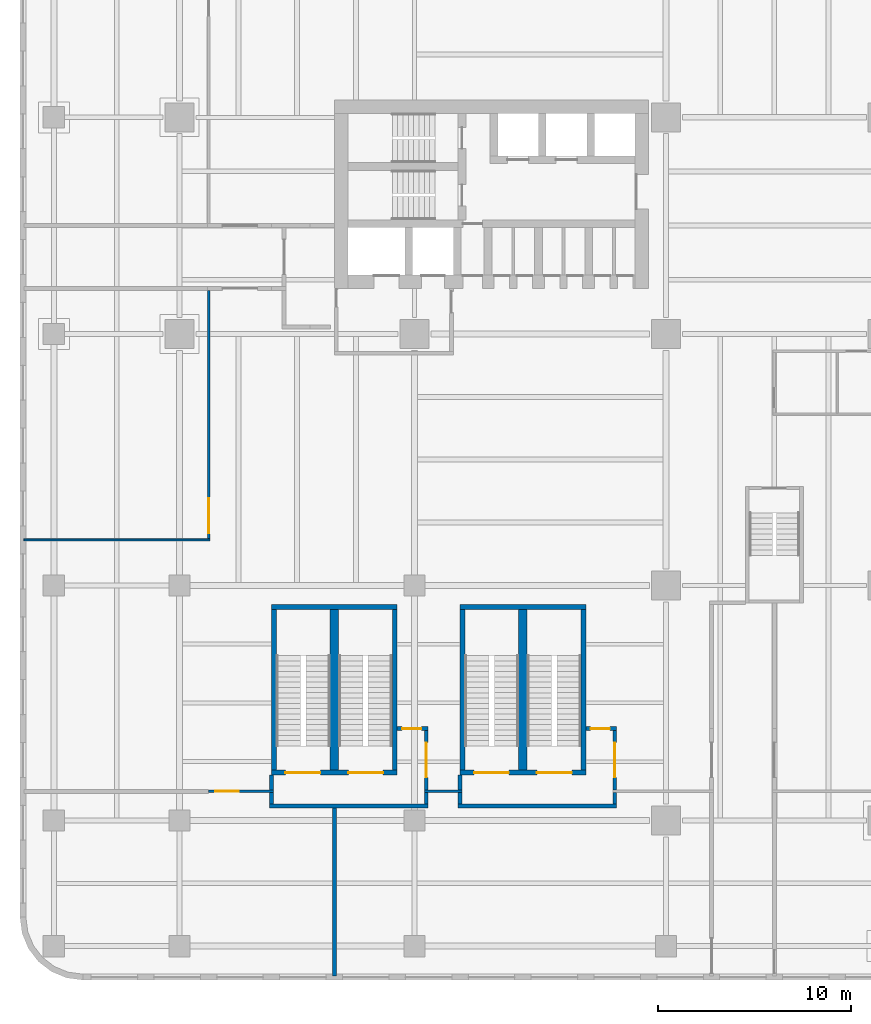
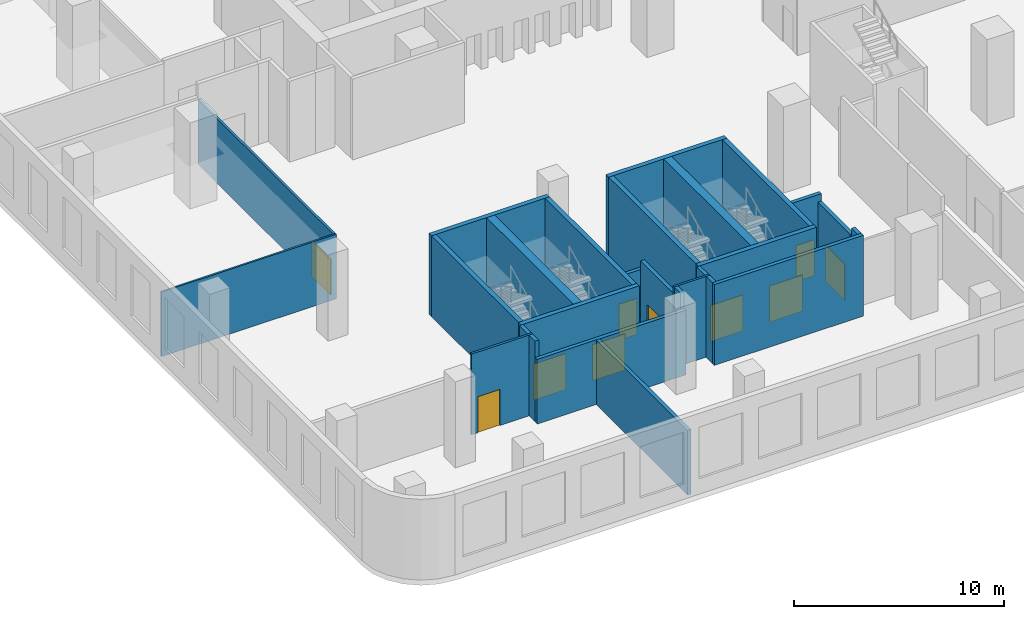
# One storey, part 5 of 17: 27 walls, 10 doors, 10 openings.
"""IFC4 building model written with IfcOpenShell, lengths in metres."""

from ifc_helpers import new_model, si_unit, direction, frame, frame_2d, origin, place, context, subcontext, project, spatial, rectangle, extrude, source, transform, mapped, material, layer, layer_set, type_object, element, fill, save


model = new_model("IFC4")

# Units and contexts
model_context = context("Model", 3, precision=1e-05, world=origin(), true_north=direction((0.0, 1.0)))
body_context = subcontext(model_context, "Body", "Model", "MODEL_VIEW")
ifc_project = project(units=[si_unit("LENGTHUNIT", "METRE"), si_unit("AREAUNIT", "SQUARE_METRE"), si_unit("VOLUMEUNIT", "CUBIC_METRE"), si_unit("PLANEANGLEUNIT", "RADIAN"), si_unit("MASSUNIT", "GRAM", prefix="KILO")], contexts=[model_context])

# Site, building, storey
site_placement = place(None, origin())
site = spatial("IfcSite", under=ifc_project, at=site_placement, CompositionType="ELEMENT")
building_placement = place(site_placement, origin())
building = spatial("IfcBuilding", under=site, at=building_placement, Name="Trellis Farm Tower", CompositionType="ELEMENT")
storey_placement = place(building_placement, frame((0.0, 0.0, 19.0)))
storey = spatial("IfcBuildingStorey", under=building, at=storey_placement, Name="L03", CompositionType="ELEMENT", Elevation=19.0)

# Wall, opening, door
ifc_material_1 = material(Name="Plasterboard on steel studs, mineral wool", Category="steel")
ifc_layer_1 = layer(ifc_material_1, 0.125)
ifc_layer_set_1 = layer_set([ifc_layer_1], Name="PARTITION 125 STUD EI 60")
wall_type_1 = type_object("IfcWallType", Name="PARTITION 125 STUD EI 60", PredefinedType="PARTITIONING", material=ifc_layer_set_1)
wall_1_placement = place(storey_placement, frame((-29.25, -16.199951171875, 0.0), z_axis=(0.0, 0.0, 1.0), x_axis=(0.0, 1.0, 0.0)))
wall_1 = element("IfcWall", 1, at=wall_1_placement, inside=storey, type_object=wall_type_1, Name="Partition PW1", PredefinedType="PARTITIONING", context=body_context, shape_type="SweptSolid", body=[
    extrude(rectangle(XDim=12.849853515625, YDim=0.125, at=frame_2d((6.4248046875, 0.0))), origin(), (0.0, 0.0, 1.0), 3.76171875),
])
shared_shape_1 = source(origin(), body_context, "Body", "SweptSolid", [
    extrude(rectangle(XDim=1.800048828125, YDim=2.10009765625, at=frame_2d((0.89990234375, 1.050048828125))), frame((0.0, 0.072509765625, 0.0), z_axis=(0.0, -1.0, 0.0), x_axis=(1.0, 0.0, 0.0)), (0.0, 0.0, 1.0), 0.14501953125),
])
opening_1_placement = place(wall_1_placement, frame((0.300048828125, 0.0, 0.0)))
opening_1 = element("IfcOpeningElement", 2, at=opening_1_placement, cuts=wall_1, Name="Opening D203", PredefinedType="OPENING", context=body_context, shape_type="MappedRepresentation", body=[
    mapped(shared_shape_1, transform((0.0, 0.0, 0.0))),
])
ifc_material_2 = material(Name="Fire-rated timber door leaf in a hollow metal frame", Category="wood")
door_type_1 = type_object("IfcDoorType", Name="DOOR PAIR 1800x2100 FD30S", OperationType="NOTDEFINED", PredefinedType="DOOR", material=ifc_material_2)
shared_shape_2 = source(origin(), body_context, "Body", "SweptSolid", [
    extrude(rectangle(XDim=1.800048828125, YDim=2.10009765625, at=frame_2d((0.89990234375, 1.050048828125))), frame((0.0, 0.02490234375, 0.0), z_axis=(0.0, -1.0, 0.0), x_axis=(1.0, 0.0, 0.0)), (0.0, 0.0, 1.0), 0.050048828125),
])
door_1_placement = place(opening_1_placement, origin())
door_1 = element("IfcDoor", 3, at=door_1_placement, inside=storey, type_object=door_type_1, Name="Door D203", OperationType="DOUBLE_DOOR_SINGLE_SWING", OverallHeight=2.10009765625, OverallWidth=1.800048828125, PredefinedType="DOOR", context=body_context, shape_type="MappedRepresentation", body=[
    mapped(shared_shape_2, transform((0.0, 0.0, 0.0))),
])
fill(opening_1, door_1)

wall_2_placement = place(storey_placement, frame((-25.89990234375, -29.25, 0.0), z_axis=(0.0, 0.0, 1.0), x_axis=(-1.0, 0.0, 0.0)))
wall_2 = element("IfcWall", 4, at=wall_2_placement, inside=storey, type_object=wall_type_1, Name="Partition PW1", PredefinedType="PARTITIONING", context=body_context, shape_type="SweptSolid", body=[
    extrude(rectangle(XDim=3.35009765625, YDim=0.125, at=frame_2d((1.675048828125, 0.0))), origin(), (0.0, 0.0, 1.0), 4.699951171875),
])
shared_shape_3 = source(origin(), body_context, "Body", "SweptSolid", [
    extrude(rectangle(XDim=1.199951171875, YDim=2.10009765625, at=frame_2d((0.60009765625, 1.050048828125))), frame((0.0, 0.072509765625, 0.0), z_axis=(0.0, -1.0, 0.0), x_axis=(1.0, 0.0, 0.0)), (0.0, 0.0, 1.0), 0.14501953125),
])
opening_2_placement = place(wall_2_placement, frame((1.800048828125, 0.0, 0.0)))
opening_2 = element("IfcOpeningElement", 5, at=opening_2_placement, cuts=wall_2, Name="Opening D602", PredefinedType="OPENING", context=body_context, shape_type="MappedRepresentation", body=[
    mapped(shared_shape_3, transform((0.0, 0.0, 0.0))),
])
door_type_2 = type_object("IfcDoorType", Name="DOOR 1200x2100 FD30S", OperationType="NOTDEFINED", PredefinedType="DOOR", material=ifc_material_2)
shared_shape_4 = source(origin(), body_context, "Body", "SweptSolid", [
    extrude(rectangle(XDim=1.199951171875, YDim=2.10009765625, at=frame_2d((0.60009765625, 1.050048828125))), frame((0.0, 0.02490234375, 0.0), z_axis=(0.0, -1.0, 0.0), x_axis=(1.0, 0.0, 0.0)), (0.0, 0.0, 1.0), 0.050048828125),
])
door_2_placement = place(opening_2_placement, origin())
door_2 = element("IfcDoor", 6, at=door_2_placement, inside=storey, type_object=door_type_2, Name="Door D602", OperationType="SINGLE_SWING_RIGHT", OverallHeight=2.10009765625, OverallWidth=1.199951171875, PredefinedType="DOOR", context=body_context, shape_type="MappedRepresentation", body=[
    mapped(shared_shape_4, transform((0.0, 0.0, 0.0))),
])
fill(opening_2, door_2)

# Wall, openings, doors
ifc_material_3 = material(Name="Concrete C80/95", Category="concrete")
ifc_layer_2 = layer(ifc_material_3, 0.25)
ifc_layer_set_2 = layer_set([ifc_layer_2], Name="CORE STAIR ENCLOSURE WALL 250 CONCRETE C80/95")
wall_type_2 = type_object("IfcWallType", Name="CORE STAIR ENCLOSURE WALL 250 CONCRETE C80/95", PredefinedType="SHEAR", material=ifc_layer_set_2)
shared_shape_5 = source(origin(), body_context, "Body", "SweptSolid", [
    extrude(rectangle(XDim=6.5, YDim=0.25, at=frame_2d((3.25, 0.0))), origin(), (0.0, 0.0, 1.0), 4.699951171875),
])
wall_3_placement = place(storey_placement, frame((-26.0, -28.27490234375, 0.0), z_axis=(0.0, 0.0, 1.0), x_axis=(1.0, 0.0, 0.0)))
wall_3 = element("IfcWall", 7, at=wall_3_placement, inside=storey, type_object=wall_type_2, Name="Podium stair enclosure wall", PredefinedType="SHEAR", context=body_context, shape_type="MappedRepresentation", body=[
    mapped(shared_shape_5, transform((0.0, 0.0, 0.0))),
])
shared_shape_6 = source(origin(), body_context, "Body", "SweptSolid", [
    extrude(rectangle(XDim=1.800048828125, YDim=2.10009765625, at=frame_2d((0.89990234375, 1.050048828125))), frame((0.0, 0.135009765625, 0.0), z_axis=(0.0, -1.0, 0.0), x_axis=(1.0, 0.0, 0.0)), (0.0, 0.0, 1.0), 0.27001953125),
])
opening_3_placement = place(wall_3_placement, frame((0.72509765625, 0.0, 0.0)))
opening_3 = element("IfcOpeningElement", 8, at=opening_3_placement, cuts=wall_3, Name="Opening DP9", PredefinedType="OPENING", context=body_context, shape_type="MappedRepresentation", body=[
    mapped(shared_shape_6, transform((0.0, 0.0, 0.0))),
])
opening_4_placement = place(wall_3_placement, frame((3.97509765625, 0.0, 0.0)))
opening_4 = element("IfcOpeningElement", 9, at=opening_4_placement, cuts=wall_3, Name="Opening DP10", PredefinedType="OPENING", context=body_context, shape_type="MappedRepresentation", body=[
    mapped(shared_shape_6, transform((0.0, 0.0, 0.0))),
])
ifc_material_4 = material(Name="Steel", Category="steel")
door_type_3 = type_object("IfcDoorType", Name="CORE FIRE DOOR DOUBLE 1800 X 2100", OperationType="DOUBLE_DOOR_SINGLE_SWING", PredefinedType="DOOR", material=ifc_material_4)
door_3_placement = place(opening_3_placement, origin())
door_3 = element("IfcDoor", 10, at=door_3_placement, inside=storey, type_object=door_type_3, Name="Podium stair door", OperationType="DOUBLE_DOOR_SINGLE_SWING", OverallHeight=2.10009765625, OverallWidth=1.800048828125, PredefinedType="DOOR", context=body_context, shape_type="MappedRepresentation", body=[
    mapped(shared_shape_2, transform((0.0, 0.0, 0.0))),
])
fill(opening_3, door_3)
door_4_placement = place(opening_4_placement, origin())
door_4 = element("IfcDoor", 11, at=door_4_placement, inside=storey, type_object=door_type_3, Name="Podium stair door", OperationType="DOUBLE_DOOR_SINGLE_SWING", OverallHeight=2.10009765625, OverallWidth=1.800048828125, PredefinedType="DOOR", context=body_context, shape_type="MappedRepresentation", body=[
    mapped(shared_shape_2, transform((0.0, 0.0, 0.0))),
])
fill(opening_4, door_4)

# Wall
wall_4_placement = place(storey_placement, frame((-26.0, -19.72509765625, 0.0), z_axis=(0.0, 0.0, 1.0), x_axis=(1.0, 0.0, 0.0)))
element("IfcWall", 12, at=wall_4_placement, inside=storey, type_object=wall_type_2, Name="Podium stair enclosure wall", PredefinedType="SHEAR", context=body_context, shape_type="MappedRepresentation", body=[
    mapped(shared_shape_5, transform((0.0, 0.0, 0.0))),
])

# Wall, openings, doors
wall_5_placement = place(storey_placement, frame((-16.25, -28.27490234375, 0.0), z_axis=(0.0, 0.0, 1.0), x_axis=(1.0, 0.0, 0.0)))
wall_5 = element("IfcWall", 13, at=wall_5_placement, inside=storey, type_object=wall_type_2, Name="Podium stair enclosure wall", PredefinedType="SHEAR", context=body_context, shape_type="MappedRepresentation", body=[
    mapped(shared_shape_5, transform((0.0, 0.0, 0.0))),
])
opening_5_placement = place(wall_5_placement, frame((0.72509765625, 0.0, 0.0)))
opening_5 = element("IfcOpeningElement", 14, at=opening_5_placement, cuts=wall_5, Name="Opening DP11", PredefinedType="OPENING", context=body_context, shape_type="MappedRepresentation", body=[
    mapped(shared_shape_6, transform((0.0, 0.0, 0.0))),
])
opening_6_placement = place(wall_5_placement, frame((3.97509765625, 0.0, 0.0)))
opening_6 = element("IfcOpeningElement", 15, at=opening_6_placement, cuts=wall_5, Name="Opening DP12", PredefinedType="OPENING", context=body_context, shape_type="MappedRepresentation", body=[
    mapped(shared_shape_6, transform((0.0, 0.0, 0.0))),
])
door_5_placement = place(opening_5_placement, origin())
door_5 = element("IfcDoor", 16, at=door_5_placement, inside=storey, type_object=door_type_3, Name="Podium stair door", OperationType="DOUBLE_DOOR_SINGLE_SWING", OverallHeight=2.10009765625, OverallWidth=1.800048828125, PredefinedType="DOOR", context=body_context, shape_type="MappedRepresentation", body=[
    mapped(shared_shape_2, transform((0.0, 0.0, 0.0))),
])
fill(opening_5, door_5)
door_6_placement = place(opening_6_placement, origin())
door_6 = element("IfcDoor", 17, at=door_6_placement, inside=storey, type_object=door_type_3, Name="Podium stair door", OperationType="DOUBLE_DOOR_SINGLE_SWING", OverallHeight=2.10009765625, OverallWidth=1.800048828125, PredefinedType="DOOR", context=body_context, shape_type="MappedRepresentation", body=[
    mapped(shared_shape_2, transform((0.0, 0.0, 0.0))),
])
fill(opening_6, door_6)

# Walls
wall_6_placement = place(storey_placement, frame((-16.25, -19.72509765625, 0.0), z_axis=(0.0, 0.0, 1.0), x_axis=(1.0, 0.0, 0.0)))
element("IfcWall", 18, at=wall_6_placement, inside=storey, type_object=wall_type_2, Name="Podium stair enclosure wall", PredefinedType="SHEAR", context=body_context, shape_type="MappedRepresentation", body=[
    mapped(shared_shape_5, transform((0.0, 0.0, 0.0))),
])
shared_shape_7 = source(origin(), body_context, "Body", "SweptSolid", [
    extrude(rectangle(XDim=8.2998046875, YDim=0.25, at=frame_2d((4.14990234375, 0.0))), origin(), (0.0, 0.0, 1.0), 4.699951171875),
])
for number, where, z_axis, x_axis, name in (
    (19, (-25.875, -28.14990234375, 0.0), (0.0, 0.0, 1.0), (0.0, 1.0, 0.0), "Podium stair enclosure wall"),
    (20, (-19.625, -28.14990234375, 0.0), (0.0, 0.0, 1.0), (0.0, 1.0, 0.0), "Podium stair enclosure wall"),
    (21, (-16.125, -28.14990234375, 0.0), (0.0, 0.0, 1.0), (0.0, 1.0, 0.0), "Podium stair enclosure wall"),
    (22, (-9.875, -28.14990234375, 0.0), (0.0, 0.0, 1.0), (0.0, 1.0, 0.0), "Podium stair enclosure wall"),
):
    element("IfcWall", number, at=place(storey_placement, frame(where, z_axis=z_axis, x_axis=x_axis)), inside=storey, type_object=wall_type_2, Name=name, PredefinedType="SHEAR", context=body_context, shape_type="MappedRepresentation", body=[
        mapped(shared_shape_7, transform((0.0, 0.0, 0.0))),
    ])
ifc_layer_3 = layer(ifc_material_3, 0.43994140625)
ifc_layer_set_3 = layer_set([ifc_layer_3], Name="CORE STAIR ENCLOSURE WALL 440 CONCRETE C80/95")
wall_type_3 = type_object("IfcWallType", Name="CORE STAIR ENCLOSURE WALL 440 CONCRETE C80/95", PredefinedType="SHEAR", material=ifc_layer_set_3)
shared_shape_8 = source(origin(), body_context, "Body", "SweptSolid", [
    extrude(rectangle(XDim=8.2998046875, YDim=0.43994140625, at=frame_2d((4.14990234375, 0.0))), origin(), (0.0, 0.0, 1.0), 4.699951171875),
])
for number, where, z_axis, x_axis, name in (
    (23, (-22.75, -28.14990234375, 0.0), (0.0, 0.0, 1.0), (0.0, 1.0, 0.0), "Podium stair enclosure wall"),
    (24, (-13.0, -28.14990234375, 0.0), (0.0, 0.0, 1.0), (0.0, 1.0, 0.0), "Podium stair enclosure wall"),
):
    element("IfcWall", number, at=place(storey_placement, frame(where, z_axis=z_axis, x_axis=x_axis)), inside=storey, type_object=wall_type_3, Name=name, PredefinedType="SHEAR", context=body_context, shape_type="MappedRepresentation", body=[
        mapped(shared_shape_8, transform((0.0, 0.0, 0.0))),
    ])
ifc_material_5 = material(Name="Lightweight blockwork, plastered", Category="masonry")
ifc_layer_4 = layer(ifc_material_5, 0.199951171875)
ifc_layer_set_4 = layer_set([ifc_layer_4], Name="BLOCK WALL 200 EI 120")
wall_type_4 = type_object("IfcWallType", Name="BLOCK WALL 200 EI 120", PredefinedType="PARTITIONING", material=ifc_layer_set_4)
shared_shape_9 = source(origin(), body_context, "Body", "SweptSolid", [
    extrude(rectangle(XDim=0.78759765625, YDim=0.199951171875, at=frame_2d((0.393798828125, 0.0))), origin(), (0.0, 0.0, 1.0), 4.699951171875),
])
for number, where, z_axis, x_axis, name in (
    (25, (-26.0, -29.1875, 0.0), (0.0, 0.0, 1.0), (0.0, 1.0, 0.0), "Partition PW3"),
    (26, (-16.25, -29.1875, 0.0), (0.0, 0.0, 1.0), (0.0, 1.0, 0.0), "Partition PW3"),
):
    element("IfcWall", number, at=place(storey_placement, frame(where, z_axis=z_axis, x_axis=x_axis)), inside=storey, type_object=wall_type_4, Name=name, PredefinedType="PARTITIONING", context=body_context, shape_type="MappedRepresentation", body=[
        mapped(shared_shape_9, transform((0.0, 0.0, 0.0))),
    ])
shared_shape_10 = source(origin(), body_context, "Body", "SweptSolid", [
    extrude(rectangle(XDim=0.58740234375, YDim=0.199951171875, at=frame_2d((0.293701171875, 0.0))), origin(), (0.0, 0.0, 1.0), 4.699951171875),
])
for number, where, z_axis, x_axis, name in (
    (27, (-26.0, -29.89990234375, 0.0), (0.0, 0.0, 1.0), (0.0, 1.0, 0.0), "Partition PW3"),
    (28, (-18.0, -29.3125, 0.0), (0.0, 0.0, 1.0), (0.0, -1.0, 0.0), "Partition PW3"),
    (29, (-16.25, -29.3125, 0.0), (0.0, 0.0, 1.0), (0.0, -1.0, 0.0), "Partition PW3"),
    (30, (-8.25, -29.89990234375, 0.0), (0.0, 0.0, 1.0), (0.0, 1.0, 0.0), "Partition PW3"),
):
    element("IfcWall", number, at=place(storey_placement, frame(where, z_axis=z_axis, x_axis=x_axis)), inside=storey, type_object=wall_type_4, Name=name, PredefinedType="PARTITIONING", context=body_context, shape_type="MappedRepresentation", body=[
        mapped(shared_shape_10, transform((0.0, 0.0, 0.0))),
    ])

# Wall, opening, door
shared_shape_11 = source(origin(), body_context, "Body", "SweptSolid", [
    extrude(rectangle(XDim=3.08740234375, YDim=0.199951171875, at=frame_2d((1.543701171875, 0.0))), origin(), (0.0, 0.0, 1.0), 4.273681640625),
])
wall_7_placement = place(storey_placement, frame((-18.0, -26.10009765625, 0.0), z_axis=(0.0, 0.0, 1.0), x_axis=(0.0, -1.0, 0.0)))
wall_7 = element("IfcWall", 31, at=wall_7_placement, inside=storey, type_object=wall_type_4, Name="Partition PW3", PredefinedType="PARTITIONING", context=body_context, shape_type="MappedRepresentation", body=[
    mapped(shared_shape_11, transform((0.0, 0.0, 0.0))),
])
shared_shape_12 = source(origin(), body_context, "Body", "SweptSolid", [
    extrude(rectangle(XDim=1.800048828125, YDim=2.10009765625, at=frame_2d((0.89990234375, 1.050048828125))), frame((0.0, 0.110107421875, 0.0), z_axis=(0.0, -1.0, 0.0), x_axis=(1.0, 0.0, 0.0)), (0.0, 0.0, 1.0), 0.22021484375),
])
opening_7_placement = place(wall_7_placement, frame((0.625, 0.0, 0.0)))
opening_7 = element("IfcOpeningElement", 32, at=opening_7_placement, cuts=wall_7, Name="Opening D401", PredefinedType="OPENING", context=body_context, shape_type="MappedRepresentation", body=[
    mapped(shared_shape_12, transform((0.0, 0.0, 0.0))),
])
door_type_4 = type_object("IfcDoorType", Name="DOOR PAIR 1800x2100 FD60", OperationType="NOTDEFINED", PredefinedType="DOOR", material=ifc_material_2)
door_7_placement = place(opening_7_placement, origin())
door_7 = element("IfcDoor", 33, at=door_7_placement, inside=storey, type_object=door_type_4, Name="Door D401", OperationType="DOUBLE_DOOR_SINGLE_SWING", OverallHeight=2.10009765625, OverallWidth=1.800048828125, PredefinedType="DOOR", context=body_context, shape_type="MappedRepresentation", body=[
    mapped(shared_shape_2, transform((0.0, 0.0, 0.0))),
])
fill(opening_7, door_7)

wall_8_placement = place(storey_placement, frame((-8.25, -26.10009765625, 0.0), z_axis=(0.0, 0.0, 1.0), x_axis=(0.0, -1.0, 0.0)))
wall_8 = element("IfcWall", 34, at=wall_8_placement, inside=storey, type_object=wall_type_4, Name="Partition PW3", PredefinedType="PARTITIONING", context=body_context, shape_type="MappedRepresentation", body=[
    mapped(shared_shape_11, transform((0.0, 0.0, 0.0))),
])
opening_8_placement = place(wall_8_placement, frame((0.625, 0.0, 0.0)))
opening_8 = element("IfcOpeningElement", 35, at=opening_8_placement, cuts=wall_8, Name="Opening D402", PredefinedType="OPENING", context=body_context, shape_type="MappedRepresentation", body=[
    mapped(shared_shape_12, transform((0.0, 0.0, 0.0))),
])
door_8_placement = place(opening_8_placement, origin())
door_8 = element("IfcDoor", 36, at=door_8_placement, inside=storey, type_object=door_type_4, Name="Door D402", OperationType="DOUBLE_DOOR_SINGLE_SWING", OverallHeight=2.10009765625, OverallWidth=1.800048828125, PredefinedType="DOOR", context=body_context, shape_type="MappedRepresentation", body=[
    mapped(shared_shape_2, transform((0.0, 0.0, 0.0))),
])
fill(opening_8, door_8)

# Walls
shared_shape_13 = source(origin(), body_context, "Body", "SweptSolid", [
    extrude(rectangle(XDim=8.699951171875, YDim=0.199951171875, at=frame_2d((4.35009765625, 0.0))), origin(), (0.0, 0.0, 1.0), 3.76171875),
])
wall_9_placement = place(storey_placement, frame((-22.75, -38.800048828125, 0.0), z_axis=(0.0, 0.0, 1.0), x_axis=(0.0, 1.0, 0.0)))
element("IfcWall", 37, at=wall_9_placement, inside=storey, type_object=wall_type_4, Name="Partition PW3", PredefinedType="PARTITIONING", context=body_context, shape_type="MappedRepresentation", body=[
    mapped(shared_shape_13, transform((0.0, 0.0, 0.0))),
])
shared_shape_14 = source(origin(), body_context, "Body", "SweptSolid", [
    extrude(rectangle(XDim=8.2001953125, YDim=0.199951171875, at=frame_2d((4.10009765625, 0.0))), origin(), (0.0, 0.0, 1.0), 4.699951171875),
])
wall_10_placement = place(storey_placement, frame((-8.14990234375, -30.0, 0.0), z_axis=(0.0, 0.0, 1.0), x_axis=(-1.0, 0.0, 0.0)))
element("IfcWall", 38, at=wall_10_placement, inside=storey, type_object=wall_type_4, Name="Partition PW3", PredefinedType="PARTITIONING", context=body_context, shape_type="MappedRepresentation", body=[
    mapped(shared_shape_14, transform((0.0, 0.0, 0.0))),
])
shared_shape_15 = source(origin(), body_context, "Body", "SweptSolid", [
    extrude(rectangle(XDim=8.2001953125, YDim=0.199951171875, at=frame_2d((4.10009765625, 0.0))), origin(), (0.0, 0.0, 1.0), 3.76171875),
])
wall_11_placement = place(storey_placement, frame((-17.89990234375, -30.0, 0.0), z_axis=(0.0, 0.0, 1.0), x_axis=(-1.0, 0.0, 0.0)))
element("IfcWall", 39, at=wall_11_placement, inside=storey, type_object=wall_type_4, Name="Partition PW3", PredefinedType="PARTITIONING", context=body_context, shape_type="MappedRepresentation", body=[
    mapped(shared_shape_15, transform((0.0, 0.0, 0.0))),
])
shared_shape_16 = source(origin(), body_context, "Body", "SweptSolid", [
    extrude(rectangle(XDim=1.9501953125, YDim=0.125, at=frame_2d((0.97509765625, 0.0))), origin(), (0.0, 0.0, 1.0), 4.699951171875),
])
wall_12_placement = place(storey_placement, frame((-16.14990234375, -29.25, 0.0), z_axis=(0.0, 0.0, 1.0), x_axis=(-1.0, 0.0, 0.0)))
element("IfcWall", 40, at=wall_12_placement, inside=storey, type_object=wall_type_1, Name="Partition PW1", PredefinedType="PARTITIONING", context=body_context, shape_type="MappedRepresentation", body=[
    mapped(shared_shape_16, transform((0.0, 0.0, 0.0))),
])

# Wall, opening, door
shared_shape_17 = source(origin(), body_context, "Body", "SweptSolid", [
    extrude(rectangle(XDim=1.60009765625, YDim=0.199951171875, at=frame_2d((0.800048828125, 0.0))), origin(), (0.0, 0.0, 1.0), 4.699951171875),
])
wall_13_placement = place(storey_placement, frame((-9.75, -26.0, 0.0), z_axis=(0.0, 0.0, 1.0), x_axis=(1.0, 0.0, 0.0)))
wall_13 = element("IfcWall", 41, at=wall_13_placement, inside=storey, type_object=wall_type_4, Name="Partition PW3", PredefinedType="PARTITIONING", context=body_context, shape_type="MappedRepresentation", body=[
    mapped(shared_shape_17, transform((0.0, 0.0, 0.0))),
])
shared_shape_18 = source(origin(), body_context, "Body", "SweptSolid", [
    extrude(rectangle(XDim=1.0, YDim=2.10009765625, at=frame_2d((0.5, 1.050048828125))), frame((0.0, 0.110107421875, 0.0), z_axis=(0.0, -1.0, 0.0), x_axis=(1.0, 0.0, 0.0)), (0.0, 0.0, 1.0), 0.22021484375),
])
opening_9_placement = place(wall_13_placement, frame((0.25, 0.0, 0.0)))
opening_9 = element("IfcOpeningElement", 42, at=opening_9_placement, cuts=wall_13, Name="Opening D303", PredefinedType="OPENING", context=body_context, shape_type="MappedRepresentation", body=[
    mapped(shared_shape_18, transform((0.0, 0.0, 0.0))),
])
door_type_5 = type_object("IfcDoorType", Name="DOOR 1000x2100 FD60", OperationType="NOTDEFINED", PredefinedType="DOOR", material=ifc_material_2)
shared_shape_19 = source(origin(), body_context, "Body", "SweptSolid", [
    extrude(rectangle(XDim=1.0, YDim=2.10009765625, at=frame_2d((0.5, 1.050048828125))), frame((0.0, 0.02490234375, 0.0), z_axis=(0.0, -1.0, 0.0), x_axis=(1.0, 0.0, 0.0)), (0.0, 0.0, 1.0), 0.050048828125),
])
door_9_placement = place(opening_9_placement, origin())
door_9 = element("IfcDoor", 43, at=door_9_placement, inside=storey, type_object=door_type_5, Name="Door D303", OperationType="SINGLE_SWING_LEFT", OverallHeight=2.10009765625, OverallWidth=1.0, PredefinedType="DOOR", context=body_context, shape_type="MappedRepresentation", body=[
    mapped(shared_shape_19, transform((0.0, 0.0, 0.0))),
])
fill(opening_9, door_9)

shared_shape_20 = source(origin(), body_context, "Body", "SweptSolid", [
    extrude(rectangle(XDim=1.60009765625, YDim=0.199951171875, at=frame_2d((0.800048828125, 0.0))), origin(), (0.0, 0.0, 1.0), 3.76171875),
])
wall_14_placement = place(storey_placement, frame((-19.5, -26.0, 0.0), z_axis=(0.0, 0.0, 1.0), x_axis=(1.0, 0.0, 0.0)))
wall_14 = element("IfcWall", 44, at=wall_14_placement, inside=storey, type_object=wall_type_4, Name="Partition PW3", PredefinedType="PARTITIONING", context=body_context, shape_type="MappedRepresentation", body=[
    mapped(shared_shape_20, transform((0.0, 0.0, 0.0))),
])
opening_10_placement = place(wall_14_placement, frame((0.25, 0.0, 0.0)))
opening_10 = element("IfcOpeningElement", 45, at=opening_10_placement, cuts=wall_14, Name="Opening D302", PredefinedType="OPENING", context=body_context, shape_type="MappedRepresentation", body=[
    mapped(shared_shape_18, transform((0.0, 0.0, 0.0))),
])
door_10_placement = place(opening_10_placement, origin())
door_10 = element("IfcDoor", 46, at=door_10_placement, inside=storey, type_object=door_type_5, Name="Door D302", OperationType="SINGLE_SWING_LEFT", OverallHeight=2.10009765625, OverallWidth=1.0, PredefinedType="DOOR", context=body_context, shape_type="MappedRepresentation", body=[
    mapped(shared_shape_19, transform((0.0, 0.0, 0.0))),
])
fill(opening_10, door_10)

# Wall
ifc_material_6 = material(Name="Plasterboard on steel studs", Category="steel")
ifc_layer_5 = layer(ifc_material_6, 0.10009765625)
ifc_layer_set_5 = layer_set([ifc_layer_5], Name="PARTITION 100 STUD EI 30")
wall_type_5 = type_object("IfcWallType", Name="PARTITION 100 STUD EI 30", PredefinedType="PARTITIONING", material=ifc_layer_set_5)
shared_shape_21 = source(origin(), body_context, "Body", "SweptSolid", [
    extrude(rectangle(XDim=9.612548828125, YDim=0.10009765625, at=frame_2d((4.80615234375, 0.0))), origin(), (0.0, 0.0, 1.0), 3.76171875),
])
wall_15_placement = place(storey_placement, frame((-38.800048828125, -16.25, 0.0), z_axis=(0.0, 0.0, 1.0), x_axis=(1.0, 0.0, 0.0)))
element("IfcWall", 47, at=wall_15_placement, inside=storey, type_object=wall_type_5, Name="Partition PW2", PredefinedType="PARTITIONING", context=body_context, shape_type="MappedRepresentation", body=[
    mapped(shared_shape_21, transform((0.0, 0.0, 0.0))),
])

save(model, "model.ifc")
